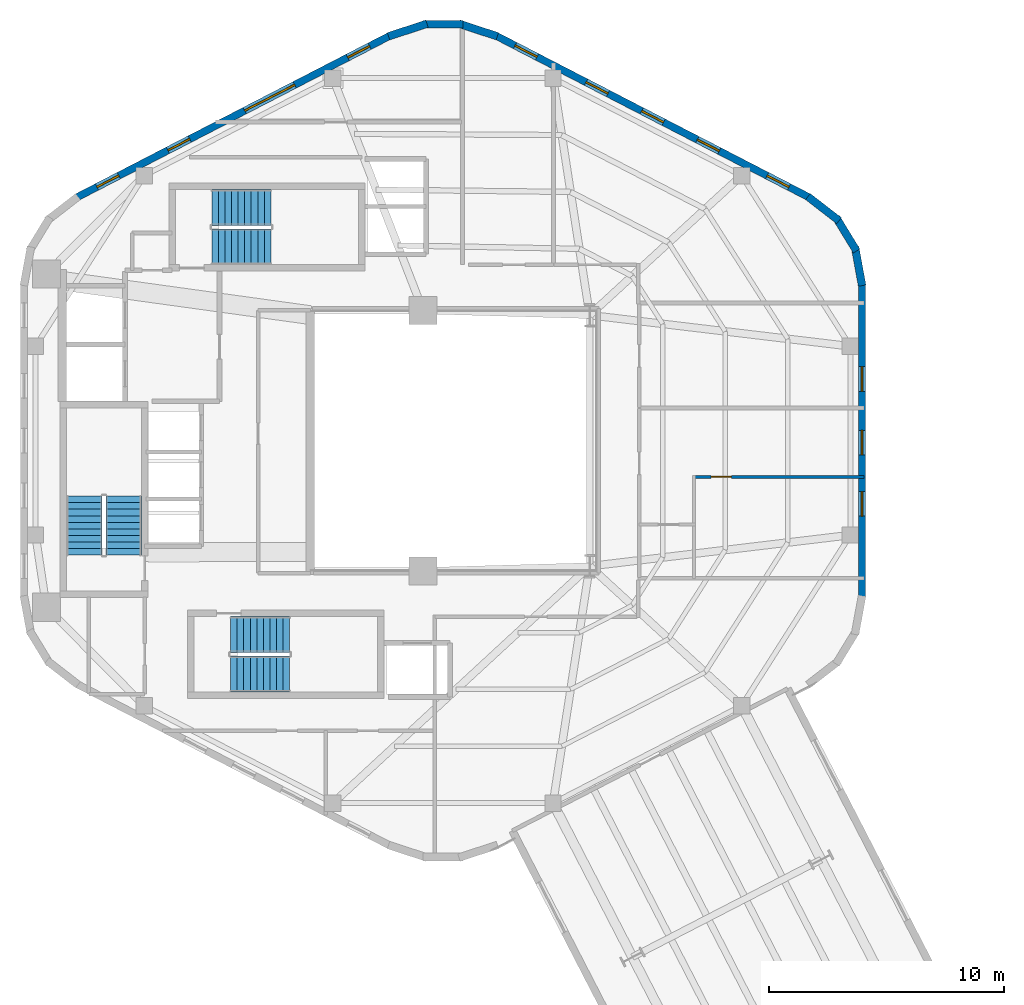
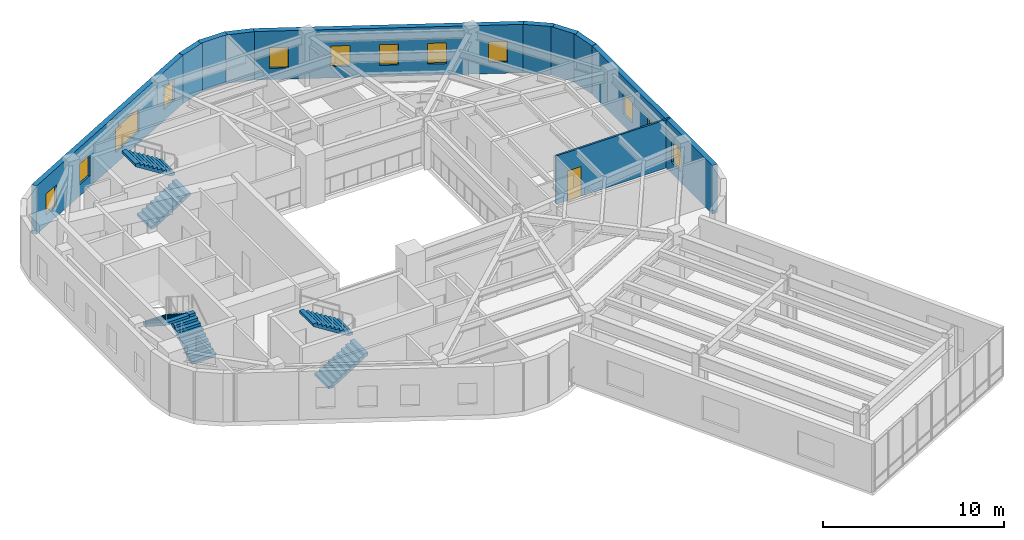
# One storey, part 9 of 10: 12 windows, 10 walls, 6 stair flights, 1 door, 13 openings, 3 elements without a shape of their own.
"""IFC4 building model written with IfcOpenShell, lengths in metres."""

from ifc_helpers import new_model, si_unit, direction, frame, frame_2d, origin, place, context, subcontext, project, spatial, polyline, rectangle, outline, extrude, material, layer, layer_set, type_object, element, fill, aggregate, save


model = new_model("IFC4")

# Units and contexts
model_context = context("Model", 3, precision=1e-05, world=origin(), true_north=direction((0.0, 1.0)))
body_context = subcontext(model_context, "Body", "Model", "MODEL_VIEW")
ifc_project = project(units=[si_unit("LENGTHUNIT", "METRE"), si_unit("AREAUNIT", "SQUARE_METRE"), si_unit("VOLUMEUNIT", "CUBIC_METRE"), si_unit("PLANEANGLEUNIT", "RADIAN"), si_unit("MASSUNIT", "GRAM", prefix="KILO"), si_unit("THERMODYNAMICTEMPERATUREUNIT", "KELVIN"), si_unit("POWERUNIT", "WATT")], contexts=[model_context])

# Site, building, storey
site_placement = place(None, origin())
site = spatial("IfcSite", under=ifc_project, at=site_placement, CompositionType="ELEMENT")
building_placement = place(site_placement, origin())
building = spatial("IfcBuilding", under=site, at=building_placement, Name="Skarre Station Tower", CompositionType="ELEMENT")
storey_placement = place(building_placement, frame((0.0, 0.0, 234.800048828125)))
storey = spatial("IfcBuildingStorey", under=building, at=storey_placement, Name="L64", CompositionType="ELEMENT", Elevation=234.800048828125)

# Wall, opening, door
ifc_material_1 = material(Name="Insulated Timber-Stud Gypsum Partition", Category="wood")
ifc_layer_1 = layer(ifc_material_1, 0.1201171875, Name="Insulated Timber-Stud Gypsum Partition")
ifc_layer_set_1 = layer_set([ifc_layer_1], Name="Insulated Timber-Stud Gypsum Partition")
wall_type_1 = type_object("IfcWallType", Name="Internal Suite Acoustic Partition 120", PredefinedType="PARTITIONING", material=ifc_layer_set_1)
wall_1_placement = place(storey_placement, frame((43.89990234375, 22.458984375, 0.0), z_axis=(0.0, 0.0, 1.0), x_axis=(1.0, 0.0, 0.0)))
wall_1 = element("IfcWall", 1, at=wall_1_placement, inside=storey, type_object=wall_type_1, Name="L64 Interior Partition WL-PT-L64-EW1-BDW", PredefinedType="PARTITIONING", context=body_context, shape_type="SweptSolid", body=[
    extrude(rectangle(XDim=7.2431640625, YDim=0.1201171875, at=frame_2d((3.62158203125, 0.0))), origin(), (0.0, 0.0, 1.0), 3.260009765625),
])
opening_1_placement = place(wall_1_placement, frame((0.72998046875, 0.0, 0.0)))
opening_1 = element("IfcOpeningElement", 2, at=opening_1_placement, cuts=wall_1, Name="Opening DR-INT86", PredefinedType="OPENING", context=body_context, shape_type="SweptSolid", body=[
    extrude(rectangle(XDim=0.860107421875, YDim=2.0, at=frame_2d((0.43017578125, 1.0))), frame((0.0, 0.070068359375, 0.0), z_axis=(0.0, -1.0, 0.0), x_axis=(1.0, 0.0, 0.0)), (0.0, 0.0, 1.0), 0.14013671875),
])
ifc_material_2 = material(Name="Nordic Birch Acoustic Solid-Core Timber Leaf", Category="wood")
door_type = type_object("IfcDoorType", Name="Internal En-Suite & Bedroom Door 860x2100", OperationType="SINGLE_SWING_LEFT", PredefinedType="DOOR", material=ifc_material_2)
door_placement = place(opening_1_placement, origin())
door = element("IfcDoor", 3, at=door_placement, inside=storey, type_object=door_type, Name="L64 EW1 Master Bedroom Door", OperationType="SINGLE_SWING_RIGHT", OverallHeight=2.0, OverallWidth=0.860107421875, PredefinedType="DOOR", context=body_context, shape_type="SweptSolid", body=[
    extrude(rectangle(XDim=0.860107421875, YDim=2.0, at=frame_2d((0.43017578125, 1.0))), frame((0.0, 0.02490234375, 0.0), z_axis=(0.0, -1.0, 0.0), x_axis=(1.0, 0.0, 0.0)), (0.0, 0.0, 1.0), 0.050048828125),
])
fill(opening_1, door)

# Walls
ifc_material_3 = material(Name="Precast concrete C45/55", Category="concrete")
ifc_layer_2 = layer(ifc_material_3, 0.330078125, Name="Precast concrete C45/55")
ifc_layer_set_2 = layer_set([ifc_layer_2], Name="Precast concrete C45/55")
wall_type_2 = type_object("IfcWallType", Name="Nordic Rounded Corner Precast Wall 330", PredefinedType="STANDARD", material=ifc_layer_set_2)
wall_2_placement = place(storey_placement, frame((48.7529296875, 34.40087890625, 0.0), z_axis=(0.0, 0.0, 1.0), x_axis=(0.790691856293, -0.61221433207, 0.0)))
element("IfcWall", 4, at=wall_2_placement, inside=storey, type_object=wall_type_2, Name="L64 Rounded Corner Precast Wall F0-1", PredefinedType="STANDARD", context=body_context, shape_type="SweptSolid", body=[
    extrude(rectangle(XDim=1.67578125, YDim=0.330078125, at=frame_2d((0.837890625, 0.0))), origin(), (0.0, 0.0, 1.0), 3.260009765625),
])
wall_3_placement = place(storey_placement, frame((49.952880859375, 33.514892578125, 0.0), z_axis=(0.0, 0.0, 1.0), x_axis=(0.520325409202, -0.853968072318, 0.0)))
element("IfcWall", 5, at=wall_3_placement, inside=storey, type_object=wall_type_2, Name="L64 Rounded Corner Precast Wall F0-2", PredefinedType="STANDARD", context=body_context, shape_type="SweptSolid", body=[
    extrude(rectangle(XDim=1.677978515625, YDim=0.330078125, at=frame_2d((0.8388671875, 0.0))), origin(), (0.0, 0.0, 1.0), 3.260009765625),
])
wall_4_placement = place(storey_placement, frame((50.759033203125, 32.257080078125, 0.0), z_axis=(0.0, 0.0, 1.0), x_axis=(0.180691763044, -0.983539773862, 0.0)))
element("IfcWall", 6, at=wall_4_placement, inside=storey, type_object=wall_type_2, Name="L64 Rounded Corner Precast Wall F0-3", PredefinedType="STANDARD", context=body_context, shape_type="SweptSolid", body=[
    extrude(rectangle(XDim=1.6767578125, YDim=0.330078125, at=frame_2d((0.83837890625, 0.0))), origin(), (0.0, 0.0, 1.0), 3.260009765625),
])
wall_5_placement = place(storey_placement, frame((30.882080078125, 41.23095703125, 0.0), z_axis=(0.0, 0.0, 1.0), x_axis=(0.949713440491, 0.313120393699, 0.0)))
element("IfcWall", 7, at=wall_5_placement, inside=storey, type_object=wall_type_2, Name="L64 Rounded Corner Precast Wall F1-1", PredefinedType="STANDARD", context=body_context, shape_type="SweptSolid", body=[
    extrude(rectangle(XDim=1.7216796875, YDim=0.330078125, at=frame_2d((0.86083984375, 0.0))), origin(), (0.0, 0.0, 1.0), 3.260009765625),
])
wall_6_placement = place(storey_placement, frame((32.339111328125, 41.740966796875, 0.0), z_axis=(0.0, 0.0, 1.0), x_axis=(1.0, 0.0, 0.0)))
element("IfcWall", 8, at=wall_6_placement, inside=storey, type_object=wall_type_2, Name="L64 Rounded Corner Precast Wall F1-2", PredefinedType="STANDARD", context=body_context, shape_type="SweptSolid", body=[
    extrude(rectangle(XDim=1.721923828125, YDim=0.330078125, at=frame_2d((0.86083984375, 0.0))), origin(), (0.0, 0.0, 1.0), 3.260009765625),
])
wall_7_placement = place(storey_placement, frame((33.883056640625, 41.77001953125, 0.0), z_axis=(0.0, 0.0, 1.0), x_axis=(0.949713440491, -0.313120393699, 0.0)))
element("IfcWall", 9, at=wall_7_placement, inside=storey, type_object=wall_type_2, Name="L64 Rounded Corner Precast Wall F1-3", PredefinedType="STANDARD", context=body_context, shape_type="SweptSolid", body=[
    extrude(rectangle(XDim=1.7216796875, YDim=0.330078125, at=frame_2d((0.86083984375, 0.0))), origin(), (0.0, 0.0, 1.0), 3.260009765625),
])

# Wall, openings, windows
ifc_layer_3 = layer(ifc_material_3, 0.31005859375, Name="Precast concrete C45/55")
ifc_layer_set_3 = layer_set([ifc_layer_3], Name="Precast concrete C45/55")
wall_type_3 = type_object("IfcWallType", Name="Nordic Upper-Zone Precast Facet Wall 310", PredefinedType="STANDARD", material=ifc_layer_set_3)
wall_8_placement = place(storey_placement, frame((35.43701171875, 41.27001953125, 0.0), z_axis=(0.0, 0.0, 1.0), x_axis=(0.888581481622, -0.458718814218, 0.0)))
wall_8 = element("IfcWall", 10, at=wall_8_placement, inside=storey, type_object=wall_type_3, Name="L64 Facet 0 Nordic Precast Masonry Wall", PredefinedType="STANDARD", context=body_context, shape_type="SweptSolid", body=[
    extrude(rectangle(XDim=15.076904296875, YDim=0.31005859375, at=frame_2d((7.53857421875, 0.0))), origin(), (0.0, 0.0, 1.0), 3.260009765625),
])
opening_2_placement = place(wall_8_placement, frame((0.94189453125, 0.0, 0.75)))
opening_2 = element("IfcOpeningElement", 11, at=opening_2_placement, cuts=wall_8, Name="Opening WN-SLT", PredefinedType="OPENING", context=body_context, shape_type="SweptSolid", body=[
    extrude(rectangle(XDim=1.050048828125, YDim=1.39990234375, at=frame_2d((0.52490234375, 0.699951171875))), frame((0.0, 0.1650390625, 0.0), z_axis=(0.0, -1.0, 0.0), x_axis=(1.0, 0.0, 0.0)), (0.0, 0.0, 1.0), 0.330078125),
])
opening_3_placement = place(wall_8_placement, frame((4.343994140625, 0.0, 0.75)))
opening_3 = element("IfcOpeningElement", 12, at=opening_3_placement, cuts=wall_8, Name="Opening WN-SLT", PredefinedType="OPENING", context=body_context, shape_type="SweptSolid", body=[
    extrude(rectangle(XDim=1.050048828125, YDim=1.39990234375, at=frame_2d((0.52490234375, 0.699951171875))), frame((0.0, 0.1650390625, 0.0), z_axis=(0.0, -1.0, 0.0), x_axis=(1.0, 0.0, 0.0)), (0.0, 0.0, 1.0), 0.330078125),
])
opening_4_placement = place(wall_8_placement, frame((7.012939453125, 0.0, 0.75)))
opening_4 = element("IfcOpeningElement", 13, at=opening_4_placement, cuts=wall_8, Name="Opening WN-SLT", PredefinedType="OPENING", context=body_context, shape_type="SweptSolid", body=[
    extrude(rectangle(XDim=1.050048828125, YDim=1.39990234375, at=frame_2d((0.52490234375, 0.699951171875))), frame((0.0, 0.1650390625, 0.0), z_axis=(0.0, -1.0, 0.0), x_axis=(1.0, 0.0, 0.0)), (0.0, 0.0, 1.0), 0.330078125),
])
opening_5_placement = place(wall_8_placement, frame((9.680908203125, 0.0, 0.75)))
opening_5 = element("IfcOpeningElement", 14, at=opening_5_placement, cuts=wall_8, Name="Opening WN-SLT", PredefinedType="OPENING", context=body_context, shape_type="SweptSolid", body=[
    extrude(rectangle(XDim=1.050048828125, YDim=1.39990234375, at=frame_2d((0.52490234375, 0.699951171875))), frame((0.0, 0.1650390625, 0.0), z_axis=(0.0, -1.0, 0.0), x_axis=(1.0, 0.0, 0.0)), (0.0, 0.0, 1.0), 0.330078125),
])
opening_6_placement = place(wall_8_placement, frame((13.029052734375, 0.0, 0.75)))
opening_6 = element("IfcOpeningElement", 15, at=opening_6_placement, cuts=wall_8, Name="Opening WN-SLT", PredefinedType="OPENING", context=body_context, shape_type="SweptSolid", body=[
    extrude(rectangle(XDim=1.050048828125, YDim=1.39990234375, at=frame_2d((0.52490234375, 0.699951171875))), frame((0.0, 0.1650390625, 0.0), z_axis=(0.0, -1.0, 0.0), x_axis=(1.0, 0.0, 0.0)), (0.0, 0.0, 1.0), 0.330078125),
])
ifc_material_4 = material(Name="Low-Iron Triple Glazing with Bronze Anodized Frame", Category="glass")
window_type_1 = type_object("IfcWindowType", Name="Nordic Corner Slot Window 1050x1400", PartitioningType="SINGLE_PANEL", PredefinedType="WINDOW", material=ifc_material_4)
window_1_placement = place(opening_2_placement, origin())
window_1 = element("IfcWindow", 16, at=window_1_placement, inside=storey, type_object=window_type_1, Name="L64 Facade Window WL-FAC-L64-F0-1", OverallHeight=1.39990234375, OverallWidth=1.050048828125, PartitioningType="SINGLE_PANEL", PredefinedType="WINDOW", context=body_context, shape_type="SweptSolid", body=[
    extrude(rectangle(XDim=1.050048828125, YDim=1.39990234375, at=frame_2d((0.52490234375, 0.699951171875))), frame((0.0, 0.030029296875, 0.0), z_axis=(0.0, -1.0, 0.0), x_axis=(1.0, 0.0, 0.0)), (0.0, 0.0, 1.0), 0.06005859375),
])
fill(opening_2, window_1)
window_2_placement = place(opening_3_placement, origin())
window_2 = element("IfcWindow", 17, at=window_2_placement, inside=storey, type_object=window_type_1, Name="L64 Facade Window WL-FAC-L64-F0-2", OverallHeight=1.39990234375, OverallWidth=1.050048828125, PartitioningType="SINGLE_PANEL", PredefinedType="WINDOW", context=body_context, shape_type="SweptSolid", body=[
    extrude(rectangle(XDim=1.050048828125, YDim=1.39990234375, at=frame_2d((0.52490234375, 0.699951171875))), frame((0.0, 0.030029296875, 0.0), z_axis=(0.0, -1.0, 0.0), x_axis=(1.0, 0.0, 0.0)), (0.0, 0.0, 1.0), 0.06005859375),
])
fill(opening_3, window_2)
window_3_placement = place(opening_4_placement, origin())
window_3 = element("IfcWindow", 18, at=window_3_placement, inside=storey, type_object=window_type_1, Name="L64 Facade Window WL-FAC-L64-F0-3", OverallHeight=1.39990234375, OverallWidth=1.050048828125, PartitioningType="SINGLE_PANEL", PredefinedType="WINDOW", context=body_context, shape_type="SweptSolid", body=[
    extrude(rectangle(XDim=1.050048828125, YDim=1.39990234375, at=frame_2d((0.52490234375, 0.699951171875))), frame((0.0, 0.030029296875, 0.0), z_axis=(0.0, -1.0, 0.0), x_axis=(1.0, 0.0, 0.0)), (0.0, 0.0, 1.0), 0.06005859375),
])
fill(opening_4, window_3)
window_4_placement = place(opening_5_placement, origin())
window_4 = element("IfcWindow", 19, at=window_4_placement, inside=storey, type_object=window_type_1, Name="L64 Facade Window WL-FAC-L64-F0-4", OverallHeight=1.39990234375, OverallWidth=1.050048828125, PartitioningType="SINGLE_PANEL", PredefinedType="WINDOW", context=body_context, shape_type="SweptSolid", body=[
    extrude(rectangle(XDim=1.050048828125, YDim=1.39990234375, at=frame_2d((0.52490234375, 0.699951171875))), frame((0.0, 0.030029296875, 0.0), z_axis=(0.0, -1.0, 0.0), x_axis=(1.0, 0.0, 0.0)), (0.0, 0.0, 1.0), 0.06005859375),
])
fill(opening_5, window_4)
window_5_placement = place(opening_6_placement, origin())
window_5 = element("IfcWindow", 20, at=window_5_placement, inside=storey, type_object=window_type_1, Name="L64 Facade Window WL-FAC-L64-F0-5", OverallHeight=1.39990234375, OverallWidth=1.050048828125, PartitioningType="SINGLE_PANEL", PredefinedType="WINDOW", context=body_context, shape_type="SweptSolid", body=[
    extrude(rectangle(XDim=1.050048828125, YDim=1.39990234375, at=frame_2d((0.52490234375, 0.699951171875))), frame((0.0, 0.030029296875, 0.0), z_axis=(0.0, -1.0, 0.0), x_axis=(1.0, 0.0, 0.0)), (0.0, 0.0, 1.0), 0.06005859375),
])
fill(opening_6, window_5)

wall_9_placement = place(storey_placement, frame((17.56591796875, 34.35400390625, 0.0), z_axis=(0.0, 0.0, 1.0), x_axis=(0.888581481622, 0.458718814218, 0.0)))
wall_9 = element("IfcWall", 21, at=wall_9_placement, inside=storey, type_object=wall_type_3, Name="L64 Facet 1 Nordic Precast Masonry Wall", PredefinedType="STANDARD", context=body_context, shape_type="SweptSolid", body=[
    extrude(rectangle(XDim=15.076904296875, YDim=0.31005859375, at=frame_2d((7.53857421875, 0.0))), origin(), (0.0, 0.0, 1.0), 3.260009765625),
])
opening_7_placement = place(wall_9_placement, frame((0.998046875, 0.0, 0.75)))
opening_7 = element("IfcOpeningElement", 22, at=opening_7_placement, cuts=wall_9, Name="Opening WN-SLT", PredefinedType="OPENING", context=body_context, shape_type="SweptSolid", body=[
    extrude(rectangle(XDim=1.050048828125, YDim=1.39990234375, at=frame_2d((0.52490234375, 0.699951171875))), frame((0.0, 0.1650390625, 0.0), z_axis=(0.0, -1.0, 0.0), x_axis=(1.0, 0.0, 0.0)), (0.0, 0.0, 1.0), 0.330078125),
])
opening_8_placement = place(wall_9_placement, frame((4.403076171875, 0.0, 0.75)))
opening_8 = element("IfcOpeningElement", 23, at=opening_8_placement, cuts=wall_9, Name="Opening WN-SLT", PredefinedType="OPENING", context=body_context, shape_type="SweptSolid", body=[
    extrude(rectangle(XDim=1.050048828125, YDim=1.39990234375, at=frame_2d((0.52490234375, 0.699951171875))), frame((0.0, 0.1650390625, 0.0), z_axis=(0.0, -1.0, 0.0), x_axis=(1.0, 0.0, 0.0)), (0.0, 0.0, 1.0), 0.330078125),
])
opening_9_placement = place(wall_9_placement, frame((8.0859375, 0.0, 0.75)))
opening_9 = element("IfcOpeningElement", 24, at=opening_9_placement, cuts=wall_9, Name="Opening WN-Z4A", PredefinedType="OPENING", context=body_context, shape_type="SweptSolid", body=[
    extrude(rectangle(XDim=2.39990234375, YDim=1.60009765625, at=frame_2d((1.199951171875, 0.800048828125))), frame((0.0, 0.1650390625, 0.0), z_axis=(0.0, -1.0, 0.0), x_axis=(1.0, 0.0, 0.0)), (0.0, 0.0, 1.0), 0.330078125),
])
opening_10_placement = place(wall_9_placement, frame((13.029052734375, 0.0, 0.75)))
opening_10 = element("IfcOpeningElement", 25, at=opening_10_placement, cuts=wall_9, Name="Opening WN-SLT", PredefinedType="OPENING", context=body_context, shape_type="SweptSolid", body=[
    extrude(rectangle(XDim=1.050048828125, YDim=1.39990234375, at=frame_2d((0.52490234375, 0.699951171875))), frame((0.0, 0.1650390625, 0.0), z_axis=(0.0, -1.0, 0.0), x_axis=(1.0, 0.0, 0.0)), (0.0, 0.0, 1.0), 0.330078125),
])
window_6_placement = place(opening_7_placement, origin())
window_6 = element("IfcWindow", 26, at=window_6_placement, inside=storey, type_object=window_type_1, Name="L64 Facade Window WL-FAC-L64-F1-1", OverallHeight=1.39990234375, OverallWidth=1.050048828125, PartitioningType="SINGLE_PANEL", PredefinedType="WINDOW", context=body_context, shape_type="SweptSolid", body=[
    extrude(rectangle(XDim=1.050048828125, YDim=1.39990234375, at=frame_2d((0.52490234375, 0.699951171875))), frame((0.0, 0.030029296875, 0.0), z_axis=(0.0, -1.0, 0.0), x_axis=(1.0, 0.0, 0.0)), (0.0, 0.0, 1.0), 0.06005859375),
])
fill(opening_7, window_6)
window_7_placement = place(opening_8_placement, origin())
window_7 = element("IfcWindow", 27, at=window_7_placement, inside=storey, type_object=window_type_1, Name="L64 Facade Window WL-FAC-L64-F1-2", OverallHeight=1.39990234375, OverallWidth=1.050048828125, PartitioningType="SINGLE_PANEL", PredefinedType="WINDOW", context=body_context, shape_type="SweptSolid", body=[
    extrude(rectangle(XDim=1.050048828125, YDim=1.39990234375, at=frame_2d((0.52490234375, 0.699951171875))), frame((0.0, 0.030029296875, 0.0), z_axis=(0.0, -1.0, 0.0), x_axis=(1.0, 0.0, 0.0)), (0.0, 0.0, 1.0), 0.06005859375),
])
fill(opening_8, window_7)
window_8_placement = place(opening_10_placement, origin())
window_8 = element("IfcWindow", 28, at=window_8_placement, inside=storey, type_object=window_type_1, Name="L64 Facade Window WL-FAC-L64-F1-4", OverallHeight=1.39990234375, OverallWidth=1.050048828125, PartitioningType="SINGLE_PANEL", PredefinedType="WINDOW", context=body_context, shape_type="SweptSolid", body=[
    extrude(rectangle(XDim=1.050048828125, YDim=1.39990234375, at=frame_2d((0.52490234375, 0.699951171875))), frame((0.0, 0.030029296875, 0.0), z_axis=(0.0, -1.0, 0.0), x_axis=(1.0, 0.0, 0.0)), (0.0, 0.0, 1.0), 0.06005859375),
])
fill(opening_10, window_8)
window_type_2 = type_object("IfcWindowType", Name="Nordic Crown Panorama Window 2400x1600", PartitioningType="SINGLE_PANEL", PredefinedType="WINDOW", material=ifc_material_4)
window_9_placement = place(opening_9_placement, origin())
window_9 = element("IfcWindow", 29, at=window_9_placement, inside=storey, type_object=window_type_2, Name="L64 Facade Window WL-FAC-L64-F1-3", OverallHeight=1.60009765625, OverallWidth=2.39990234375, PartitioningType="SINGLE_PANEL", PredefinedType="WINDOW", context=body_context, shape_type="SweptSolid", body=[
    extrude(rectangle(XDim=2.39990234375, YDim=1.60009765625, at=frame_2d((1.199951171875, 0.800048828125))), frame((0.0, 0.030029296875, 0.0), z_axis=(0.0, -1.0, 0.0), x_axis=(1.0, 0.0, 0.0)), (0.0, 0.0, 1.0), 0.06005859375),
])
fill(opening_9, window_9)

wall_10_placement = place(storey_placement, frame((51.05810546875, 30.701904296875, 0.0), z_axis=(0.0, 0.0, 1.0), x_axis=(0.0, -1.0, 0.0)))
wall_10 = element("IfcWall", 30, at=wall_10_placement, inside=storey, type_object=wall_type_3, Name="L64 Facet 5 Nordic Precast Masonry Wall", PredefinedType="STANDARD", context=body_context, shape_type="SweptSolid", body=[
    extrude(rectangle(XDim=13.40380859375, YDim=0.31005859375, at=frame_2d((6.701904296875, 0.0))), origin(), (0.0, 0.0, 1.0), 3.260009765625),
])
opening_11_placement = place(wall_10_placement, frame((3.547119140625, 0.0, 0.75)))
opening_11 = element("IfcOpeningElement", 31, at=opening_11_placement, cuts=wall_10, Name="Opening WN-SLT", PredefinedType="OPENING", context=body_context, shape_type="SweptSolid", body=[
    extrude(rectangle(XDim=1.050048828125, YDim=1.39990234375, at=frame_2d((0.52490234375, 0.699951171875))), frame((0.0, 0.1650390625, 0.0), z_axis=(0.0, -1.0, 0.0), x_axis=(1.0, 0.0, 0.0)), (0.0, 0.0, 1.0), 0.330078125),
])
opening_12_placement = place(wall_10_placement, frame((6.260009765625, 0.0, 0.75)))
opening_12 = element("IfcOpeningElement", 32, at=opening_12_placement, cuts=wall_10, Name="Opening WN-SLT", PredefinedType="OPENING", context=body_context, shape_type="SweptSolid", body=[
    extrude(rectangle(XDim=1.050048828125, YDim=1.39990234375, at=frame_2d((0.52490234375, 0.699951171875))), frame((0.0, 0.1650390625, 0.0), z_axis=(0.0, -1.0, 0.0), x_axis=(1.0, 0.0, 0.0)), (0.0, 0.0, 1.0), 0.330078125),
])
opening_13_placement = place(wall_10_placement, frame((8.867919921875, 0.0, 0.75)))
opening_13 = element("IfcOpeningElement", 33, at=opening_13_placement, cuts=wall_10, Name="Opening WN-SLT", PredefinedType="OPENING", context=body_context, shape_type="SweptSolid", body=[
    extrude(rectangle(XDim=1.050048828125, YDim=1.39990234375, at=frame_2d((0.52490234375, 0.699951171875))), frame((0.0, 0.1650390625, 0.0), z_axis=(0.0, -1.0, 0.0), x_axis=(1.0, 0.0, 0.0)), (0.0, 0.0, 1.0), 0.330078125),
])
window_10_placement = place(opening_11_placement, origin())
window_10 = element("IfcWindow", 34, at=window_10_placement, inside=storey, type_object=window_type_1, Name="L64 Facade Window WL-FAC-L64-F5-1", OverallHeight=1.39990234375, OverallWidth=1.050048828125, PartitioningType="SINGLE_PANEL", PredefinedType="WINDOW", context=body_context, shape_type="SweptSolid", body=[
    extrude(rectangle(XDim=1.050048828125, YDim=1.39990234375, at=frame_2d((0.52490234375, 0.699951171875))), frame((0.0, 0.030029296875, 0.0), z_axis=(0.0, -1.0, 0.0), x_axis=(1.0, 0.0, 0.0)), (0.0, 0.0, 1.0), 0.06005859375),
])
fill(opening_11, window_10)
window_11_placement = place(opening_12_placement, origin())
window_11 = element("IfcWindow", 35, at=window_11_placement, inside=storey, type_object=window_type_1, Name="L64 Facade Window WL-FAC-L64-F5-2", OverallHeight=1.39990234375, OverallWidth=1.050048828125, PartitioningType="SINGLE_PANEL", PredefinedType="WINDOW", context=body_context, shape_type="SweptSolid", body=[
    extrude(rectangle(XDim=1.050048828125, YDim=1.39990234375, at=frame_2d((0.52490234375, 0.699951171875))), frame((0.0, 0.030029296875, 0.0), z_axis=(0.0, -1.0, 0.0), x_axis=(1.0, 0.0, 0.0)), (0.0, 0.0, 1.0), 0.06005859375),
])
fill(opening_12, window_11)
window_12_placement = place(opening_13_placement, origin())
window_12 = element("IfcWindow", 36, at=window_12_placement, inside=storey, type_object=window_type_1, Name="L64 Facade Window WL-FAC-L64-F5-3", OverallHeight=1.39990234375, OverallWidth=1.050048828125, PartitioningType="SINGLE_PANEL", PredefinedType="WINDOW", context=body_context, shape_type="SweptSolid", body=[
    extrude(rectangle(XDim=1.050048828125, YDim=1.39990234375, at=frame_2d((0.52490234375, 0.699951171875))), frame((0.0, 0.030029296875, 0.0), z_axis=(0.0, -1.0, 0.0), x_axis=(1.0, 0.0, 0.0)), (0.0, 0.0, 1.0), 0.06005859375),
])
fill(opening_13, window_12)

# Stair, stair flights
ifc_material_5 = material(Name="Concrete C40/50", Category="concrete")
stair_type_1 = type_object("IfcStairType", Name="Reinforced Concrete Exit Stair ST-1", PredefinedType="HALF_TURN_STAIR", material=ifc_material_5)
stair_1_placement = place(storey_placement, origin())
stair_1 = element("IfcStair", 37, at=stair_1_placement, inside=storey, type_object=stair_type_1, Name="L64 Core Exit Stair ST-1", PredefinedType="HALF_TURN_STAIR")
stair_flight_type_1 = type_object("IfcStairFlightType", Name="Reinforced Concrete Stair Flight ST-1", PredefinedType="STRAIGHT", material=ifc_material_5)
stair_flight_1_placement = place(storey_placement, frame((19.590087890625, 19.1201171875, 0.0), z_axis=(0.0, 0.0, 1.0), x_axis=(0.0, 1.0, 0.0)))
stair_flight_1 = element("IfcStairFlight", 38, at=stair_flight_1_placement, type_object=stair_flight_type_1, Name="ST-1 flight 1", NumberOfRisers=10, NumberOfTreads=9, PredefinedType="STRAIGHT", RiserHeight=0.1775, TreadLength=0.28, context=body_context, shape_type="SweptSolid", body=[
    extrude(outline(polyline([(0.0, 0.0), (0.0, 0.177490234375), (0.280029296875, 0.177490234375), (0.280029296875, 0.35498046875), (0.56005859375, 0.35498046875), (0.56005859375, 0.532470703125), (0.840087890625, 0.532470703125), (0.840087890625, 0.7099609375), (1.1201171875, 0.7099609375), (1.1201171875, 0.887451171875), (1.39990234375, 0.887451171875), (1.39990234375, 1.06494140625), (1.679931640625, 1.06494140625), (1.679931640625, 1.242431640625), (1.9599609375, 1.242431640625), (1.9599609375, 1.419921875), (2.239990234375, 1.419921875), (2.239990234375, 1.597412109375), (2.52001953125, 1.597412109375), (2.52001953125, 1.77490234375), (2.52001953125, 1.419921875), (0.280029296875, 0.0), (0.0, 0.0)])), frame((0.0, 0.760009765625, 0.0), z_axis=(0.0, -1.0, 0.0), x_axis=(1.0, 0.0, 0.0)), (0.0, 0.0, 1.0), 1.52001953125),
])
stair_flight_2_placement = place(storey_placement, frame((17.909912109375, 21.639892578125, 1.77490234375), z_axis=(0.0, 0.0, 1.0), x_axis=(0.0, -1.0, 0.0)))
stair_flight_2 = element("IfcStairFlight", 39, at=stair_flight_2_placement, type_object=stair_flight_type_1, Name="ST-1 flight 2", NumberOfRisers=10, NumberOfTreads=9, PredefinedType="STRAIGHT", RiserHeight=0.1775, TreadLength=0.28, context=body_context, shape_type="SweptSolid", body=[
    extrude(outline(polyline([(0.0, 0.0), (0.0, 0.177490234375), (0.280029296875, 0.177490234375), (0.280029296875, 0.35498046875), (0.56005859375, 0.35498046875), (0.56005859375, 0.532470703125), (0.840087890625, 0.532470703125), (0.840087890625, 0.7099609375), (1.1201171875, 0.7099609375), (1.1201171875, 0.887451171875), (1.39990234375, 0.887451171875), (1.39990234375, 1.06494140625), (1.679931640625, 1.06494140625), (1.679931640625, 1.242431640625), (1.9599609375, 1.242431640625), (1.9599609375, 1.419921875), (2.239990234375, 1.419921875), (2.239990234375, 1.597412109375), (2.52001953125, 1.597412109375), (2.52001953125, 1.77490234375), (2.52001953125, 1.419921875), (0.280029296875, 0.0), (0.0, 0.0)])), frame((0.0, 0.760009765625, 0.0), z_axis=(0.0, -1.0, 0.0), x_axis=(1.0, 0.0, 0.0)), (0.0, 0.0, 1.0), 1.52001953125),
])
aggregate(stair_1, [stair_flight_1, stair_flight_2])

stair_type_2 = type_object("IfcStairType", Name="Reinforced Concrete Exit Stair ST-2", PredefinedType="HALF_TURN_STAIR", material=ifc_material_5)
stair_2_placement = place(storey_placement, origin())
stair_2 = element("IfcStair", 40, at=stair_2_placement, inside=storey, type_object=stair_type_2, Name="L64 Core Exit Stair ST-2", PredefinedType="HALF_TURN_STAIR")
stair_flight_type_2 = type_object("IfcStairFlightType", Name="Reinforced Concrete Stair Flight ST-2", PredefinedType="STRAIGHT", material=ifc_material_5)
stair_flight_3_placement = place(storey_placement, frame((24.14990234375, 14.06005859375, 0.0), z_axis=(0.0, 0.0, 1.0), x_axis=(1.0, 0.0, 0.0)))
stair_flight_3 = element("IfcStairFlight", 41, at=stair_flight_3_placement, type_object=stair_flight_type_2, Name="ST-2 flight 1", NumberOfRisers=10, NumberOfTreads=9, PredefinedType="STRAIGHT", RiserHeight=0.1775, TreadLength=0.28, context=body_context, shape_type="SweptSolid", body=[
    extrude(outline(polyline([(0.0, 0.0), (0.0, 0.177490234375), (0.280029296875, 0.177490234375), (0.280029296875, 0.35498046875), (0.56005859375, 0.35498046875), (0.56005859375, 0.532470703125), (0.840087890625, 0.532470703125), (0.840087890625, 0.7099609375), (1.1201171875, 0.7099609375), (1.1201171875, 0.887451171875), (1.39990234375, 0.887451171875), (1.39990234375, 1.06494140625), (1.679931640625, 1.06494140625), (1.679931640625, 1.242431640625), (1.9599609375, 1.242431640625), (1.9599609375, 1.419921875), (2.239990234375, 1.419921875), (2.239990234375, 1.597412109375), (2.52001953125, 1.597412109375), (2.52001953125, 1.77490234375), (2.52001953125, 1.419921875), (0.280029296875, 0.0), (0.0, 0.0)])), frame((0.0, 0.760009765625, 0.0), z_axis=(0.0, -1.0, 0.0), x_axis=(1.0, 0.0, 0.0)), (0.0, 0.0, 1.0), 1.52001953125),
])
stair_flight_4_placement = place(storey_placement, frame((26.669921875, 15.739990234375, 1.77490234375), z_axis=(0.0, 0.0, 1.0), x_axis=(-1.0, 0.0, 0.0)))
stair_flight_4 = element("IfcStairFlight", 42, at=stair_flight_4_placement, type_object=stair_flight_type_2, Name="ST-2 flight 2", NumberOfRisers=10, NumberOfTreads=9, PredefinedType="STRAIGHT", RiserHeight=0.1775, TreadLength=0.28, context=body_context, shape_type="SweptSolid", body=[
    extrude(outline(polyline([(0.0, 0.0), (0.0, 0.177490234375), (0.280029296875, 0.177490234375), (0.280029296875, 0.35498046875), (0.56005859375, 0.35498046875), (0.56005859375, 0.532470703125), (0.840087890625, 0.532470703125), (0.840087890625, 0.7099609375), (1.1201171875, 0.7099609375), (1.1201171875, 0.887451171875), (1.39990234375, 0.887451171875), (1.39990234375, 1.06494140625), (1.679931640625, 1.06494140625), (1.679931640625, 1.242431640625), (1.9599609375, 1.242431640625), (1.9599609375, 1.419921875), (2.239990234375, 1.419921875), (2.239990234375, 1.597412109375), (2.52001953125, 1.597412109375), (2.52001953125, 1.77490234375), (2.52001953125, 1.419921875), (0.280029296875, 0.0), (0.0, 0.0)])), frame((0.0, 0.760009765625, 0.0), z_axis=(0.0, -1.0, 0.0), x_axis=(1.0, 0.0, 0.0)), (0.0, 0.0, 1.0), 1.52001953125),
])
aggregate(stair_2, [stair_flight_3, stair_flight_4])

stair_type_3 = type_object("IfcStairType", Name="Reinforced Concrete Exit Stair ST-3", PredefinedType="HALF_TURN_STAIR", material=ifc_material_5)
stair_3_placement = place(storey_placement, origin())
stair_3 = element("IfcStair", 43, at=stair_3_placement, inside=storey, type_object=stair_type_3, Name="L64 Core Exit Stair ST-3", PredefinedType="HALF_TURN_STAIR")
stair_flight_type_3 = type_object("IfcStairFlightType", Name="Reinforced Concrete Stair Flight ST-3", PredefinedType="STRAIGHT", material=ifc_material_5)
stair_flight_5_placement = place(storey_placement, frame((23.35009765625, 32.260009765625, 0.0), z_axis=(0.0, 0.0, 1.0), x_axis=(1.0, 0.0, 0.0)))
stair_flight_5 = element("IfcStairFlight", 44, at=stair_flight_5_placement, type_object=stair_flight_type_3, Name="ST-3 flight 1", NumberOfRisers=10, NumberOfTreads=9, PredefinedType="STRAIGHT", RiserHeight=0.1775, TreadLength=0.28, context=body_context, shape_type="SweptSolid", body=[
    extrude(outline(polyline([(0.0, 0.0), (0.0, 0.177490234375), (0.280029296875, 0.177490234375), (0.280029296875, 0.35498046875), (0.56005859375, 0.35498046875), (0.56005859375, 0.532470703125), (0.840087890625, 0.532470703125), (0.840087890625, 0.7099609375), (1.1201171875, 0.7099609375), (1.1201171875, 0.887451171875), (1.39990234375, 0.887451171875), (1.39990234375, 1.06494140625), (1.679931640625, 1.06494140625), (1.679931640625, 1.242431640625), (1.9599609375, 1.242431640625), (1.9599609375, 1.419921875), (2.239990234375, 1.419921875), (2.239990234375, 1.597412109375), (2.52001953125, 1.597412109375), (2.52001953125, 1.77490234375), (2.52001953125, 1.419921875), (0.280029296875, 0.0), (0.0, 0.0)])), frame((0.0, 0.760009765625, 0.0), z_axis=(0.0, -1.0, 0.0), x_axis=(1.0, 0.0, 0.0)), (0.0, 0.0, 1.0), 1.52001953125),
])
stair_flight_6_placement = place(storey_placement, frame((25.8701171875, 33.93994140625, 1.77490234375), z_axis=(0.0, 0.0, 1.0), x_axis=(-1.0, 0.0, 0.0)))
stair_flight_6 = element("IfcStairFlight", 45, at=stair_flight_6_placement, type_object=stair_flight_type_3, Name="ST-3 flight 2", NumberOfRisers=10, NumberOfTreads=9, PredefinedType="STRAIGHT", RiserHeight=0.1775, TreadLength=0.28, context=body_context, shape_type="SweptSolid", body=[
    extrude(outline(polyline([(0.0, 0.0), (0.0, 0.177490234375), (0.280029296875, 0.177490234375), (0.280029296875, 0.35498046875), (0.56005859375, 0.35498046875), (0.56005859375, 0.532470703125), (0.840087890625, 0.532470703125), (0.840087890625, 0.7099609375), (1.1201171875, 0.7099609375), (1.1201171875, 0.887451171875), (1.39990234375, 0.887451171875), (1.39990234375, 1.06494140625), (1.679931640625, 1.06494140625), (1.679931640625, 1.242431640625), (1.9599609375, 1.242431640625), (1.9599609375, 1.419921875), (2.239990234375, 1.419921875), (2.239990234375, 1.597412109375), (2.52001953125, 1.597412109375), (2.52001953125, 1.77490234375), (2.52001953125, 1.419921875), (0.280029296875, 0.0), (0.0, 0.0)])), frame((0.0, 0.760009765625, 0.0), z_axis=(0.0, -1.0, 0.0), x_axis=(1.0, 0.0, 0.0)), (0.0, 0.0, 1.0), 1.52001953125),
])
aggregate(stair_3, [stair_flight_5, stair_flight_6])

save(model, "model.ifc")
